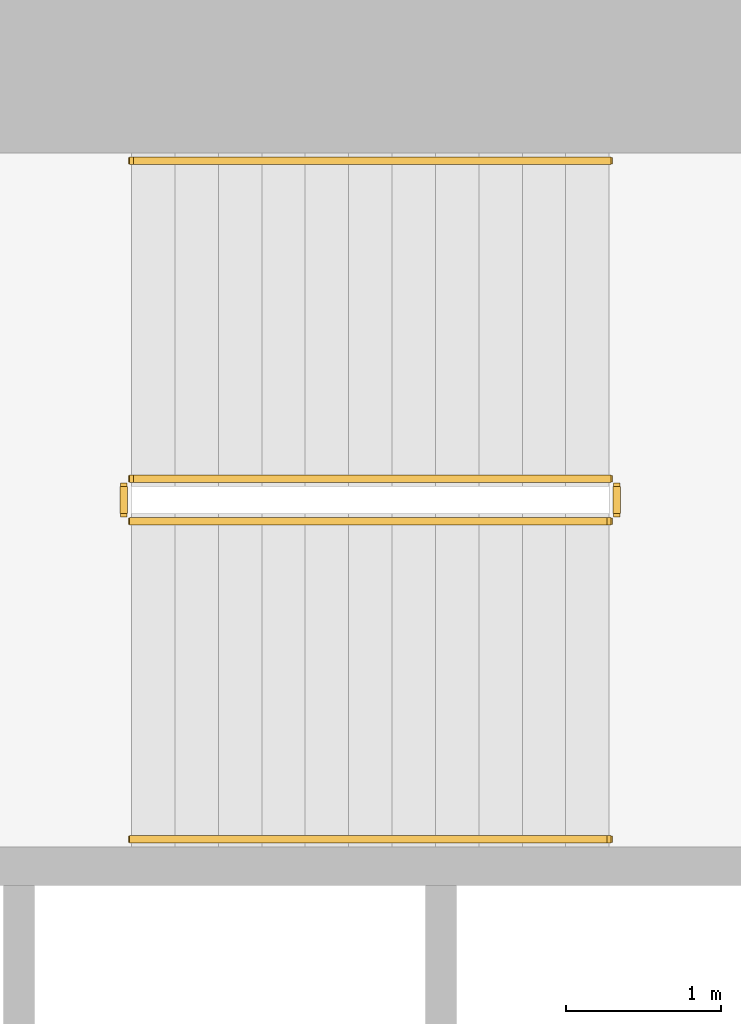
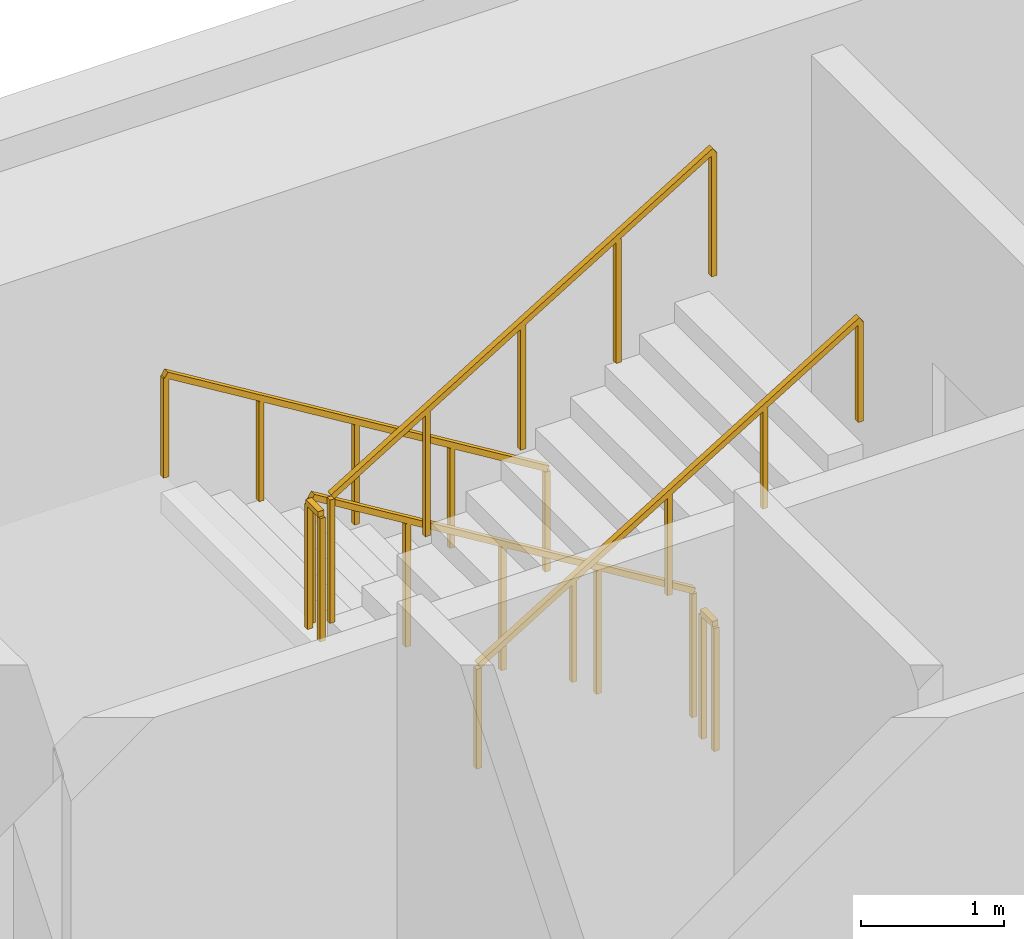
# One storey, part 12 of 13: 6 railings.
"""IFC4 building model written with IfcOpenShell, lengths in metres."""

from ifc_helpers import new_model, si_unit, direction, frame, origin, origin_2d, place, context, subcontext, project, spatial, rectangle, extrude, material, type_object, element, save


model = new_model("IFC4")

# Units and contexts
model_context = context("Model", 3, precision=1e-05, world=origin(), true_north=direction((0.0, 1.0)))
body_context = subcontext(model_context, "Body", "Model", "MODEL_VIEW")
ifc_project = project(units=[si_unit("LENGTHUNIT", "METRE"), si_unit("AREAUNIT", "SQUARE_METRE"), si_unit("VOLUMEUNIT", "CUBIC_METRE"), si_unit("PLANEANGLEUNIT", "RADIAN"), si_unit("MASSUNIT", "GRAM", prefix="KILO")], contexts=[model_context])

# Site, building, storey
site_placement = place(None, origin())
site = spatial("IfcSite", under=ifc_project, at=site_placement, CompositionType="ELEMENT")
building_placement = place(site_placement, origin())
building = spatial("IfcBuilding", under=site, at=building_placement, Name="Cypress Arch Tower", CompositionType="ELEMENT")
storey_placement = place(building_placement, frame((0.0, 0.0, 209.699951171875)))
storey = spatial("IfcBuildingStorey", under=building, at=storey_placement, Name="L46", CompositionType="ELEMENT", Elevation=209.699951171875)

# Railings
ifc_material_1 = material(Name="Black powder-coated steel square bar 48 mm", Category="steel")
railing_type_1 = type_object("IfcRailingType", Name="Stair handrail HR1", PredefinedType="HANDRAIL", material=ifc_material_1)
railing_1_placement = place(storey_placement, frame((-22.27490234375, 14.75, 0.1708984375)))
element("IfcRailing", 1, at=railing_1_placement, inside=storey, type_object=railing_type_1, Name="L46 B stair handrail 1", PredefinedType="HANDRAIL", context=body_context, shape_type="SweptSolid", body=[
    extrude(rectangle(XDim=0.048095703125, YDim=0.048095703125, at=origin_2d()), frame((0.0, 0.0, 0.8759765625), z_axis=(-0.853666305674, 0.0, 0.52082035152), x_axis=(0.0, -1.0, 0.0)), (0.0, 0.0, 1.0), 3.608154296875),
    extrude(rectangle(XDim=0.0419921875, YDim=0.0419921875, at=origin_2d()), origin(), (0.0, 0.0, 1.0), 0.851806640625),
    extrude(rectangle(XDim=0.0419921875, YDim=0.0419921875, at=origin_2d()), frame((-0.77001953125, 0.0, 0.4697265625)), (0.0, 0.0, 1.0), 0.851806640625),
    extrude(rectangle(XDim=0.0419921875, YDim=0.0419921875, at=origin_2d()), frame((-1.5400390625, 0.0, 0.939453125)), (0.0, 0.0, 1.0), 0.851806640625),
    extrude(rectangle(XDim=0.0419921875, YDim=0.0419921875, at=origin_2d()), frame((-2.31005859375, 0.0, 1.409423828125)), (0.0, 0.0, 1.0), 0.851806640625),
    extrude(rectangle(XDim=0.0419921875, YDim=0.0419921875, at=origin_2d()), frame((-3.080078125, 0.0, 1.879150390625)), (0.0, 0.0, 1.0), 0.851806640625),
])
railing_2_placement = place(storey_placement, frame((-25.35498046875, 10.375, 2.220947265625)))
element("IfcRailing", 2, at=railing_2_placement, inside=storey, type_object=railing_type_1, Name="L46 B stair handrail 2", PredefinedType="HANDRAIL", context=body_context, shape_type="SweptSolid", body=[
    extrude(rectangle(XDim=0.048095703125, YDim=0.048095703125, at=origin_2d()), frame((0.0, 0.0, 0.8759765625), z_axis=(0.853666305674, 0.0, 0.52082035152), x_axis=(0.0, 1.0, 0.0)), (0.0, 0.0, 1.0), 3.608154296875),
    extrude(rectangle(XDim=0.0419921875, YDim=0.0419921875, at=origin_2d()), origin(), (0.0, 0.0, 1.0), 0.851806640625),
    extrude(rectangle(XDim=0.0419921875, YDim=0.0419921875, at=origin_2d()), frame((0.77001953125, 0.0, 0.4697265625)), (0.0, 0.0, 1.0), 0.851806640625),
    extrude(rectangle(XDim=0.0419921875, YDim=0.0419921875, at=origin_2d()), frame((1.5400390625, 0.0, 0.939453125)), (0.0, 0.0, 1.0), 0.851806640625),
    extrude(rectangle(XDim=0.0419921875, YDim=0.0419921875, at=origin_2d()), frame((2.31005859375, 0.0, 1.409423828125)), (0.0, 0.0, 1.0), 0.851806640625),
    extrude(rectangle(XDim=0.0419921875, YDim=0.0419921875, at=origin_2d()), frame((3.080078125, 0.0, 1.879150390625)), (0.0, 0.0, 1.0), 0.851806640625),
])
ifc_material_2 = material(Name="Black powder-coated steel balusters", Category="steel")
railing_type_2 = type_object("IfcRailingType", Name="Stair well guard G1", PredefinedType="GUARDRAIL", material=ifc_material_2)
railing_3_placement = place(storey_placement, frame((-22.27490234375, 12.699951171875, 0.1708984375)))
element("IfcRailing", 3, at=railing_3_placement, inside=storey, type_object=railing_type_2, Name="L46 B stair guard 1", PredefinedType="GUARDRAIL", context=body_context, shape_type="SweptSolid", body=[
    extrude(rectangle(XDim=0.048095703125, YDim=0.048095703125, at=origin_2d()), frame((0.0, 0.0, 1.076171875), z_axis=(-0.853666305674, 0.0, 0.52082035152), x_axis=(0.0, -1.0, 0.0)), (0.0, 0.0, 1.0), 3.608154296875),
    extrude(rectangle(XDim=0.0419921875, YDim=0.0419921875, at=origin_2d()), origin(), (0.0, 0.0, 1.0), 1.052001953125),
    extrude(rectangle(XDim=0.0419921875, YDim=0.0419921875, at=origin_2d()), frame((-0.77001953125, 0.0, 0.4697265625)), (0.0, 0.0, 1.0), 1.052001953125),
    extrude(rectangle(XDim=0.0419921875, YDim=0.0419921875, at=origin_2d()), frame((-1.5400390625, 0.0, 0.939453125)), (0.0, 0.0, 1.0), 1.052001953125),
    extrude(rectangle(XDim=0.0419921875, YDim=0.0419921875, at=origin_2d()), frame((-2.31005859375, 0.0, 1.409423828125)), (0.0, 0.0, 1.0), 1.052001953125),
    extrude(rectangle(XDim=0.0419921875, YDim=0.0419921875, at=origin_2d()), frame((-3.080078125, 0.0, 1.879150390625)), (0.0, 0.0, 1.0), 1.052001953125),
])
railing_4_placement = place(storey_placement, frame((-25.405029296875, 12.64990234375, 2.050048828125)))
element("IfcRailing", 4, at=railing_4_placement, inside=storey, type_object=railing_type_2, Name="L46 B stair guard 2", PredefinedType="GUARDRAIL", context=body_context, shape_type="SweptSolid", body=[
    extrude(rectangle(XDim=0.048095703125, YDim=0.048095703125, at=origin_2d()), frame((0.0, 0.0, 1.076171875), z_axis=(0.0, -1.0, 0.0), x_axis=(1.0, 0.0, 0.0)), (0.0, 0.0, 1.0), 0.1748046875),
    extrude(rectangle(XDim=0.0419921875, YDim=0.0419921875, at=origin_2d()), origin(), (0.0, 0.0, 1.0), 1.052001953125),
    extrude(rectangle(XDim=0.0419921875, YDim=0.0419921875, at=origin_2d()), frame((0.0, -0.1748046875, 0.0)), (0.0, 0.0, 1.0), 1.052001953125),
])
railing_5_placement = place(storey_placement, frame((-25.35498046875, 12.425048828125, 2.220947265625)))
element("IfcRailing", 5, at=railing_5_placement, inside=storey, type_object=railing_type_2, Name="L46 B stair guard 3", PredefinedType="GUARDRAIL", context=body_context, shape_type="SweptSolid", body=[
    extrude(rectangle(XDim=0.048095703125, YDim=0.048095703125, at=origin_2d()), frame((0.0, 0.0, 1.076171875), z_axis=(0.853666305674, 0.0, 0.52082035152), x_axis=(0.0, 1.0, 0.0)), (0.0, 0.0, 1.0), 3.608154296875),
    extrude(rectangle(XDim=0.0419921875, YDim=0.0419921875, at=origin_2d()), origin(), (0.0, 0.0, 1.0), 1.052001953125),
    extrude(rectangle(XDim=0.0419921875, YDim=0.0419921875, at=origin_2d()), frame((0.77001953125, 0.0, 0.4697265625)), (0.0, 0.0, 1.0), 1.052001953125),
    extrude(rectangle(XDim=0.0419921875, YDim=0.0419921875, at=origin_2d()), frame((1.5400390625, 0.0, 0.939453125)), (0.0, 0.0, 1.0), 1.052001953125),
    extrude(rectangle(XDim=0.0419921875, YDim=0.0419921875, at=origin_2d()), frame((2.31005859375, 0.0, 1.409423828125)), (0.0, 0.0, 1.0), 1.052001953125),
    extrude(rectangle(XDim=0.0419921875, YDim=0.0419921875, at=origin_2d()), frame((3.080078125, 0.0, 1.879150390625)), (0.0, 0.0, 1.0), 1.052001953125),
])
railing_6_placement = place(storey_placement, frame((-22.22509765625, 12.64990234375, 0.0)))
element("IfcRailing", 6, at=railing_6_placement, inside=storey, type_object=railing_type_2, Name="L46 B stair guard 4", PredefinedType="GUARDRAIL", context=body_context, shape_type="SweptSolid", body=[
    extrude(rectangle(XDim=0.048095703125, YDim=0.048095703125, at=origin_2d()), frame((0.0, 0.0, 1.076171875), z_axis=(0.0, -1.0, 0.0), x_axis=(1.0, 0.0, 0.0)), (0.0, 0.0, 1.0), 0.1748046875),
    extrude(rectangle(XDim=0.0419921875, YDim=0.0419921875, at=origin_2d()), origin(), (0.0, 0.0, 1.0), 1.052001953125),
    extrude(rectangle(XDim=0.0419921875, YDim=0.0419921875, at=origin_2d()), frame((0.0, -0.1748046875, 0.0)), (0.0, 0.0, 1.0), 1.052001953125),
])

save(model, "model.ifc")
